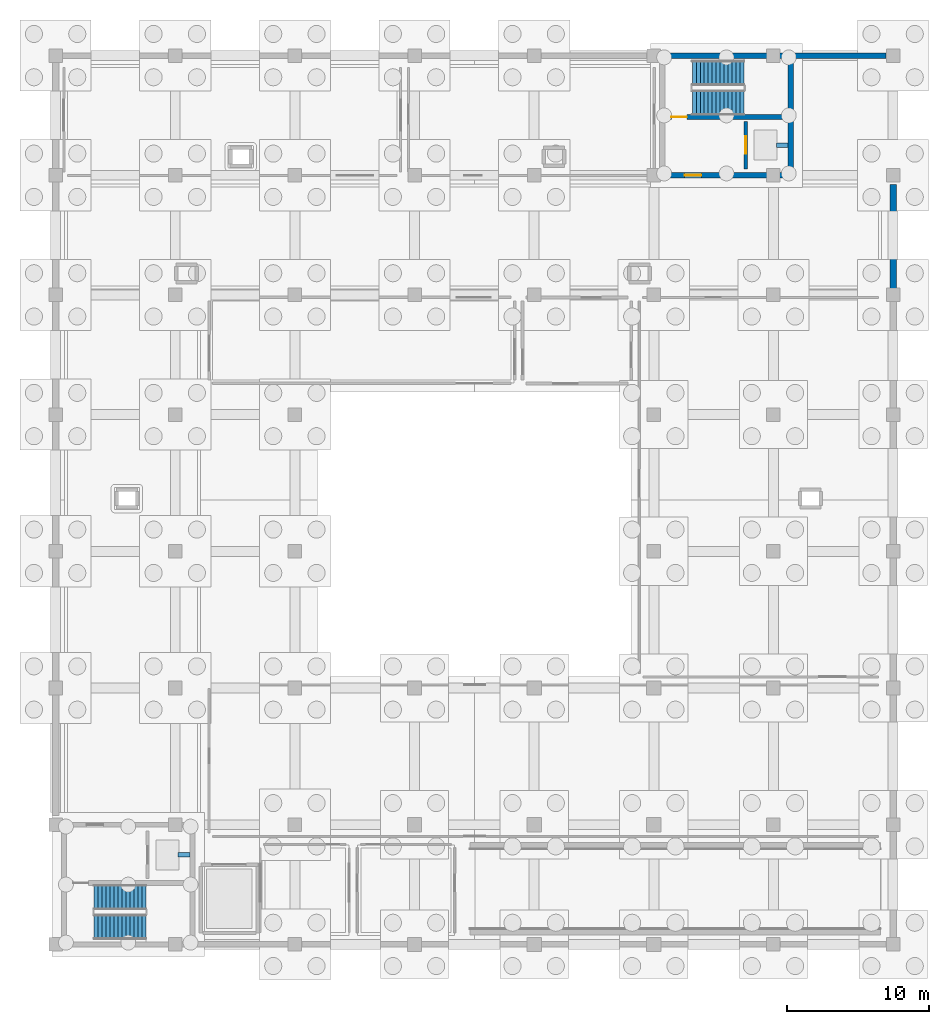
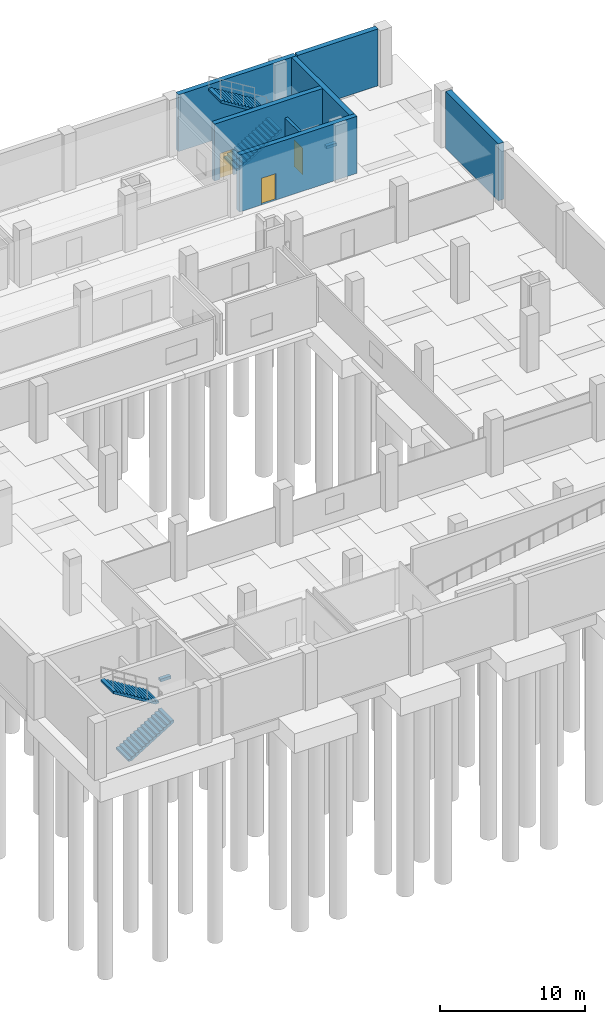
# One storey, part 8 of 12: 7 walls, 4 stair flights, 3 doors, 2 discrete accessories, 3 openings, 2 elements without a shape of their own.
"""IFC4 building model written with IfcOpenShell, lengths in metres."""

from ifc_helpers import new_model, si_unit, direction, frame, frame_2d, origin, origin_2d, place, context, subcontext, project, spatial, polyline, rectangle, outline, extrude, material, layer, layer_set, type_object, element, fill, aggregate, save


model = new_model("IFC4")

# Units and contexts
model_context = context("Model", 3, precision=1e-05, world=origin(), true_north=direction((0.0, 1.0)))
body_context = subcontext(model_context, "Body", "Model", "MODEL_VIEW")
ifc_project = project(units=[si_unit("LENGTHUNIT", "METRE"), si_unit("AREAUNIT", "SQUARE_METRE"), si_unit("VOLUMEUNIT", "CUBIC_METRE"), si_unit("PLANEANGLEUNIT", "RADIAN"), si_unit("MASSUNIT", "GRAM", prefix="KILO")], contexts=[model_context])

# Site, building, storey
site_placement = place(None, origin())
site = spatial("IfcSite", under=ifc_project, at=site_placement, CompositionType="ELEMENT")
building_placement = place(site_placement, origin())
building = spatial("IfcBuilding", under=site, at=building_placement, Name="Zulmaris Art Gallery", CompositionType="ELEMENT")
storey_placement = place(building_placement, frame((0.0, 0.0, -4.800048828125)))
storey = spatial("IfcBuildingStorey", under=building, at=storey_placement, Name="B1", CompositionType="ELEMENT", Elevation=-4.800048828125)

# Wall, opening, door
ifc_material_1 = material(Name="Core Lobby Fire-Resisting Masonry Wall", Category="masonry")
ifc_layer_1 = layer(ifc_material_1, 0.235107421875)
ifc_layer_set_1 = layer_set([ifc_layer_1], Name="Core Lobby Fire-Resisting Masonry Wall")
wall_type_1 = type_object("IfcWallType", Name="IWALL-PW10", PredefinedType="PARTITIONING", material=ifc_layer_set_1)
wall_1_placement = place(storey_placement, frame((190.050048828125, 67.64990234375, 0.0), z_axis=(0.0, 0.0, 1.0), x_axis=(0.0, 1.0, 0.0)))
wall_1 = element("IfcWall", 1, at=wall_1_placement, inside=storey, type_object=wall_type_1, Name="LF-F1 B1 lift shaft front wall", PredefinedType="PARTITIONING", context=body_context, shape_type="SweptSolid", body=[
    extrude(rectangle(XDim=3.330078125, YDim=0.235107421875, at=frame_2d((1.6650390625, 0.0))), origin(), (0.0, 0.0, 1.0), 3.4599609375),
])
opening_1_placement = place(wall_1_placement, frame((1.054931640625, 0.0, 0.0)))
opening_1 = element("IfcOpeningElement", 2, at=opening_1_placement, cuts=wall_1, Name="Opening LD02", PredefinedType="OPENING", context=body_context, shape_type="SweptSolid", body=[
    extrude(rectangle(XDim=1.219970703125, YDim=2.239990234375, at=frame_2d((0.60986328125, 1.1201171875))), frame((0.0, 0.12744140625, 0.0), z_axis=(0.0, -1.0, 0.0), x_axis=(1.0, 0.0, 0.0)), (0.0, 0.0, 1.0), 0.255126953125),
])
ifc_material_2 = material(Name="Firefighting Lift Sliding Landing Door", Category="steel")
door_type_1 = type_object("IfcDoorType", Name="IDOOR-LD02", OperationType="SLIDING_TO_RIGHT", PredefinedType="DOOR", material=ifc_material_2)
door_1_placement = place(opening_1_placement, origin())
door_1 = element("IfcDoor", 3, at=door_1_placement, inside=storey, type_object=door_type_1, Name="LF-F1 B1 Lift Landing Sliding Door", OperationType="SLIDING_TO_RIGHT", OverallHeight=2.239990234375, OverallWidth=1.219970703125, PredefinedType="DOOR", context=body_context, shape_type="SweptSolid", body=[
    extrude(rectangle(XDim=1.219970703125, YDim=2.239990234375, at=frame_2d((0.60986328125, 1.1201171875))), frame((0.0, 0.02490234375, 0.0), z_axis=(0.0, -1.0, 0.0), x_axis=(1.0, 0.0, 0.0)), (0.0, 0.0, 1.0), 0.050048828125),
])
fill(opening_1, door_1)

# Walls
ifc_material_3 = material(Name="Concrete C40/50", Category="concrete")
ifc_layer_2 = layer(ifc_material_3, 0.39990234375)
ifc_layer_set_2 = layer_set([ifc_layer_2], Name="Concrete C40/50")
wall_type_2 = type_object("IfcWallType", Name="STR-WALL-RW01", PredefinedType="USERDEFINED", material=ifc_layer_set_2)
wall_2_placement = place(storey_placement, frame((193.5, 75.60009765625, 0.0), z_axis=(0.0, 0.0, 1.0), x_axis=(1.0, 0.0, 0.0)))
element("IfcWall", 4, at=wall_2_placement, inside=storey, type_object=wall_type_2, Name="B1 North retaining wall bay 7", ObjectType="RETAINING WALL", PredefinedType="USERDEFINED", context=body_context, shape_type="SweptSolid", body=[
    extrude(rectangle(XDim=6.39990234375, YDim=0.39990234375, at=frame_2d((3.199951171875, 0.0))), origin(), (0.0, 0.0, 1.0), 4.800048828125),
])
ifc_layer_3 = layer(ifc_material_3, 0.449951171875)
ifc_layer_set_3 = layer_set([ifc_layer_3], Name="Concrete C40/50")
wall_type_3 = type_object("IfcWallType", Name="STR-WALL-RW02", PredefinedType="USERDEFINED", material=ifc_layer_set_3)
wall_3_placement = place(storey_placement, frame((200.39990234375, 59.25, 0.0), z_axis=(0.0, 0.0, 1.0), x_axis=(0.0, 1.0, 0.0)))
element("IfcWall", 5, at=wall_3_placement, inside=storey, type_object=wall_type_3, Name="B1 East retaining wall y=58.8", ObjectType="RETAINING WALL", PredefinedType="USERDEFINED", context=body_context, shape_type="SweptSolid", body=[
    extrude(rectangle(XDim=7.300048828125, YDim=0.449951171875, at=frame_2d((3.64990234375, 0.0))), origin(), (0.0, 0.0, 1.0), 4.800048828125),
])

# Wall, opening, door
ifc_material_4 = material(Name="Concrete C50/60", Category="concrete")
ifc_layer_4 = layer(ifc_material_4, 0.3798828125)
ifc_layer_set_4 = layer_set([ifc_layer_4], Name="Concrete C50/60")
wall_type_4 = type_object("IfcWallType", Name="STR-WALL-SW02", PredefinedType="SHEAR", material=ifc_layer_set_4)
wall_4_placement = place(storey_placement, frame((184.010009765625, 67.199951171875, 0.0), z_axis=(0.0, 0.0, 1.0), x_axis=(1.0, 0.0, 0.0)))
wall_4 = element("IfcWall", 6, at=wall_4_placement, inside=storey, type_object=wall_type_4, Name="Core C4 B1 S shear wall", PredefinedType="SHEAR", context=body_context, shape_type="SweptSolid", body=[
    extrude(rectangle(XDim=9.3798828125, YDim=0.3798828125, at=frame_2d((4.68994140625, 0.0))), origin(), (0.0, 0.0, 1.0), 4.800048828125),
])
opening_2_placement = place(wall_4_placement, frame((1.75, 0.0, 0.0)))
opening_2 = element("IfcOpeningElement", 7, at=opening_2_placement, cuts=wall_4, Name="Opening D08", PredefinedType="OPENING", context=body_context, shape_type="SweptSolid", body=[
    extrude(rectangle(XDim=1.179931640625, YDim=2.239990234375, at=frame_2d((0.58984375, 1.1201171875))), frame((0.0, 0.199951171875, 0.0), z_axis=(0.0, -1.0, 0.0), x_axis=(1.0, 0.0, 0.0)), (0.0, 0.0, 1.0), 0.39990234375),
])
ifc_material_5 = material(Name="Firefighting Lobby Compartment Door", Category="steel")
door_type_2 = type_object("IfcDoorType", Name="IDOOR-D08", OperationType="NOTDEFINED", PredefinedType="DOOR", material=ifc_material_5)
door_2_placement = place(opening_2_placement, origin())
door_2 = element("IfcDoor", 8, at=door_2_placement, inside=storey, type_object=door_type_2, Name="Core C4 B1 Lobby Compartment Door", OperationType="SINGLE_SWING_RIGHT", OverallHeight=2.239990234375, OverallWidth=1.179931640625, PredefinedType="DOOR", context=body_context, shape_type="SweptSolid", body=[
    extrude(rectangle(XDim=1.179931640625, YDim=2.239990234375, at=frame_2d((0.58984375, 1.1201171875))), frame((0.0, 0.02490234375, 0.0), z_axis=(0.0, -1.0, 0.0), x_axis=(1.0, 0.0, 0.0)), (0.0, 0.0, 1.0), 0.050048828125),
])
fill(opening_2, door_2)

# Walls
wall_5_placement = place(storey_placement, frame((184.010009765625, 75.60009765625, 0.0), z_axis=(0.0, 0.0, 1.0), x_axis=(1.0, 0.0, 0.0)))
element("IfcWall", 9, at=wall_5_placement, inside=storey, type_object=wall_type_4, Name="Core C4 B1 N shear wall", PredefinedType="SHEAR", context=body_context, shape_type="SweptSolid", body=[
    extrude(rectangle(XDim=9.3798828125, YDim=0.3798828125, at=frame_2d((4.68994140625, 0.0))), origin(), (0.0, 0.0, 1.0), 4.800048828125),
])
wall_6_placement = place(storey_placement, frame((193.199951171875, 67.389892578125, 0.0), z_axis=(0.0, 0.0, 1.0), x_axis=(0.0, 1.0, 0.0)))
element("IfcWall", 10, at=wall_6_placement, inside=storey, type_object=wall_type_4, Name="Core C4 B1 E shear wall", PredefinedType="SHEAR", context=body_context, shape_type="SweptSolid", body=[
    extrude(rectangle(XDim=8.02001953125, YDim=0.3798828125, at=frame_2d((4.010009765625, 0.0))), origin(), (0.0, 0.0, 1.0), 4.800048828125),
])

# Wall, opening, door
wall_7_placement = place(storey_placement, frame((184.389892578125, 71.2900390625, 0.0), z_axis=(0.0, 0.0, 1.0), x_axis=(1.0, 0.0, 0.0)))
wall_7 = element("IfcWall", 11, at=wall_7_placement, inside=storey, type_object=wall_type_4, Name="Core C4 B1 DIV shear wall", PredefinedType="SHEAR", context=body_context, shape_type="SweptSolid", body=[
    extrude(rectangle(XDim=8.6201171875, YDim=0.3798828125, at=frame_2d((4.31005859375, 0.0))), origin(), (0.0, 0.0, 1.0), 4.800048828125),
])
opening_3_placement = place(wall_7_placement, frame((0.449951171875, 0.0, 0.0)))
opening_3 = element("IfcOpeningElement", 12, at=opening_3_placement, cuts=wall_7, Name="Opening D07", PredefinedType="OPENING", context=body_context, shape_type="SweptSolid", body=[
    extrude(rectangle(XDim=1.080078125, YDim=2.179931640625, at=frame_2d((0.5400390625, 1.08984375))), frame((0.0, 0.199951171875, 0.0), z_axis=(0.0, -1.0, 0.0), x_axis=(1.0, 0.0, 0.0)), (0.0, 0.0, 1.0), 0.39990234375),
])
ifc_material_6 = material(Name="Stairwell Fire Escape Door", Category="steel")
door_type_3 = type_object("IfcDoorType", Name="IDOOR-D07", OperationType="NOTDEFINED", PredefinedType="DOOR", material=ifc_material_6)
door_3_placement = place(opening_3_placement, origin())
door_3 = element("IfcDoor", 13, at=door_3_placement, inside=storey, type_object=door_type_3, Name="Core C4 B1 Stair ST4 Fire Door", OperationType="SINGLE_SWING_LEFT", OverallHeight=2.179931640625, OverallWidth=1.080078125, PredefinedType="DOOR", context=body_context, shape_type="SweptSolid", body=[
    extrude(rectangle(XDim=1.080078125, YDim=2.179931640625, at=frame_2d((0.5400390625, 1.08984375))), frame((0.0, 0.02490234375, 0.0), z_axis=(0.0, -1.0, 0.0), x_axis=(1.0, 0.0, 0.0)), (0.0, 0.0, 1.0), 0.050048828125),
])
fill(opening_3, door_3)

# Stair, stair flights
stair_type = type_object("IfcStairType", Name="STAIR-CORE", PredefinedType="HALF_TURN_STAIR", material=ifc_material_3)
stair_1_placement = place(storey_placement, origin())
stair_1 = element("IfcStair", 14, at=stair_1_placement, inside=storey, type_object=stair_type, Name="B1 Exit Stair ST3", PredefinedType="HALF_TURN_STAIR")
stair_flight_type = type_object("IfcStairFlightType", Name="STFLT-CORE", PredefinedType="STRAIGHT", material=ifc_material_3)
stair_flight_1_placement = place(storey_placement, frame((144.300048828125, 14.425048828125, 0.0), z_axis=(0.0, 0.0, 1.0), x_axis=(1.0, 0.0, 0.0)))
stair_flight_1 = element("IfcStairFlight", 15, at=stair_flight_1_placement, type_object=stair_flight_type, Name="ST3 flight 1", NumberOfRisers=14, NumberOfTreads=13, PredefinedType="STRAIGHT", RiserHeight=0.171428571, TreadLength=0.28, context=body_context, shape_type="SweptSolid", body=[
    extrude(outline(polyline([(0.0, 0.0), (0.0, 0.17138671875), (0.280029296875, 0.17138671875), (0.280029296875, 0.3427734375), (0.56005859375, 0.3427734375), (0.56005859375, 0.514404296875), (0.840087890625, 0.514404296875), (0.840087890625, 0.685791015625), (1.1201171875, 0.685791015625), (1.1201171875, 0.857177734375), (1.39990234375, 0.857177734375), (1.39990234375, 1.028564453125), (1.679931640625, 1.028564453125), (1.679931640625, 1.199951171875), (1.9599609375, 1.199951171875), (1.9599609375, 1.371337890625), (2.239990234375, 1.371337890625), (2.239990234375, 1.54296875), (2.52001953125, 1.54296875), (2.52001953125, 1.71435546875), (2.800048828125, 1.71435546875), (2.800048828125, 1.8857421875), (3.080078125, 1.8857421875), (3.080078125, 2.05712890625), (3.360107421875, 2.05712890625), (3.360107421875, 2.228515625), (3.639892578125, 2.228515625), (3.639892578125, 2.39990234375), (3.639892578125, 2.052734375), (0.287109375, 0.0), (0.0, 0.0)])), frame((0.0, 0.875, 0.0), z_axis=(0.0, -1.0, 0.0), x_axis=(1.0, 0.0, 0.0)), (0.0, 0.0, 1.0), 1.75),
])
stair_flight_2_placement = place(storey_placement, frame((147.93994140625, 16.514892578125, 2.400146484375), z_axis=(0.0, 0.0, 1.0), x_axis=(-1.0, 0.0, 0.0)))
stair_flight_2 = element("IfcStairFlight", 16, at=stair_flight_2_placement, type_object=stair_flight_type, Name="ST3 flight 2", NumberOfRisers=14, NumberOfTreads=13, PredefinedType="STRAIGHT", RiserHeight=0.171428571, TreadLength=0.28, context=body_context, shape_type="SweptSolid", body=[
    extrude(outline(polyline([(0.0, 0.0), (0.0, 0.17138671875), (0.280029296875, 0.17138671875), (0.280029296875, 0.3427734375), (0.56005859375, 0.3427734375), (0.56005859375, 0.514404296875), (0.840087890625, 0.514404296875), (0.840087890625, 0.685791015625), (1.1201171875, 0.685791015625), (1.1201171875, 0.857177734375), (1.39990234375, 0.857177734375), (1.39990234375, 1.028564453125), (1.679931640625, 1.028564453125), (1.679931640625, 1.199951171875), (1.9599609375, 1.199951171875), (1.9599609375, 1.371337890625), (2.239990234375, 1.371337890625), (2.239990234375, 1.54296875), (2.52001953125, 1.54296875), (2.52001953125, 1.71435546875), (2.800048828125, 1.71435546875), (2.800048828125, 1.8857421875), (3.080078125, 1.8857421875), (3.080078125, 2.05712890625), (3.360107421875, 2.05712890625), (3.360107421875, 2.228515625), (3.639892578125, 2.228515625), (3.639892578125, 2.39990234375), (3.639892578125, 2.052734375), (0.287109375, 0.0), (0.0, 0.0)])), frame((0.0, 0.875, 0.0), z_axis=(0.0, -1.0, 0.0), x_axis=(1.0, 0.0, 0.0)), (0.0, 0.0, 1.0), 1.75),
])
aggregate(stair_1, [stair_flight_1, stair_flight_2])

stair_2_placement = place(storey_placement, origin())
stair_2 = element("IfcStair", 17, at=stair_2_placement, inside=storey, type_object=stair_type, Name="B1 Exit Stair ST4", PredefinedType="HALF_TURN_STAIR")
stair_flight_3_placement = place(storey_placement, frame((186.300048828125, 72.284912109375, 0.0), z_axis=(0.0, 0.0, 1.0), x_axis=(1.0, 0.0, 0.0)))
stair_flight_3 = element("IfcStairFlight", 18, at=stair_flight_3_placement, type_object=stair_flight_type, Name="ST4 flight 1", NumberOfRisers=14, NumberOfTreads=13, PredefinedType="STRAIGHT", RiserHeight=0.171428571, TreadLength=0.28, context=body_context, shape_type="SweptSolid", body=[
    extrude(outline(polyline([(0.0, 0.0), (0.0, 0.17138671875), (0.280029296875, 0.17138671875), (0.280029296875, 0.3427734375), (0.56005859375, 0.3427734375), (0.56005859375, 0.514404296875), (0.840087890625, 0.514404296875), (0.840087890625, 0.685791015625), (1.1201171875, 0.685791015625), (1.1201171875, 0.857177734375), (1.39990234375, 0.857177734375), (1.39990234375, 1.028564453125), (1.679931640625, 1.028564453125), (1.679931640625, 1.199951171875), (1.9599609375, 1.199951171875), (1.9599609375, 1.371337890625), (2.239990234375, 1.371337890625), (2.239990234375, 1.54296875), (2.52001953125, 1.54296875), (2.52001953125, 1.71435546875), (2.800048828125, 1.71435546875), (2.800048828125, 1.8857421875), (3.080078125, 1.8857421875), (3.080078125, 2.05712890625), (3.360107421875, 2.05712890625), (3.360107421875, 2.228515625), (3.639892578125, 2.228515625), (3.639892578125, 2.39990234375), (3.639892578125, 2.052734375), (0.287109375, 0.0), (0.0, 0.0)])), frame((0.0, 0.875, 0.0), z_axis=(0.0, -1.0, 0.0), x_axis=(1.0, 0.0, 0.0)), (0.0, 0.0, 1.0), 1.75),
])
stair_flight_4_placement = place(storey_placement, frame((189.93994140625, 74.375, 2.400146484375), z_axis=(0.0, 0.0, 1.0), x_axis=(-1.0, 0.0, 0.0)))
stair_flight_4 = element("IfcStairFlight", 19, at=stair_flight_4_placement, type_object=stair_flight_type, Name="ST4 flight 2", NumberOfRisers=14, NumberOfTreads=13, PredefinedType="STRAIGHT", RiserHeight=0.171428571, TreadLength=0.28, context=body_context, shape_type="SweptSolid", body=[
    extrude(outline(polyline([(0.0, 0.0), (0.0, 0.17138671875), (0.280029296875, 0.17138671875), (0.280029296875, 0.3427734375), (0.56005859375, 0.3427734375), (0.56005859375, 0.514404296875), (0.840087890625, 0.514404296875), (0.840087890625, 0.685791015625), (1.1201171875, 0.685791015625), (1.1201171875, 0.857177734375), (1.39990234375, 0.857177734375), (1.39990234375, 1.028564453125), (1.679931640625, 1.028564453125), (1.679931640625, 1.199951171875), (1.9599609375, 1.199951171875), (1.9599609375, 1.371337890625), (2.239990234375, 1.371337890625), (2.239990234375, 1.54296875), (2.52001953125, 1.54296875), (2.52001953125, 1.71435546875), (2.800048828125, 1.71435546875), (2.800048828125, 1.8857421875), (3.080078125, 1.8857421875), (3.080078125, 2.05712890625), (3.360107421875, 2.05712890625), (3.360107421875, 2.228515625), (3.639892578125, 2.228515625), (3.639892578125, 2.39990234375), (3.639892578125, 2.052734375), (0.287109375, 0.0), (0.0, 0.0)])), frame((0.0, 0.875, 0.0), z_axis=(0.0, -1.0, 0.0), x_axis=(1.0, 0.0, 0.0)), (0.0, 0.0, 1.0), 1.75),
])
aggregate(stair_2, [stair_flight_3, stair_flight_4])

# Discrete accessories
ifc_material_7 = material(Name="Steel S355J2", Category="steel")
discrete_accessory_type = type_object("IfcDiscreteAccessoryType", Name="ACC-BRK01", PredefinedType="BRACKET", material=ifc_material_7)
for number, where, z_axis, x_axis, name in (
    (20, (150.6201171875, 19.485107421875, 1.1298828125), (0.0, 0.0, 1.0), (1.0, 0.0, 0.0), "LF-F2 guide-rail bracket"),
    (21, (192.6201171875, 69.31494140625, 1.1298828125), (0.0, 0.0, 1.0), (1.0, 0.0, 0.0), "LF-F1 guide-rail bracket"),
):
    element("IfcDiscreteAccessory", number, at=place(storey_placement, frame(where, z_axis=z_axis, x_axis=x_axis)), inside=storey, type_object=discrete_accessory_type, Name=name, PredefinedType="BRACKET", context=body_context, shape_type="SweptSolid", body=[
        extrude(rectangle(XDim=0.820068359375, YDim=0.300048828125, at=origin_2d()), origin(), (0.0, 0.0, 1.0), 0.239990234375),
    ])

save(model, "model.ifc")
